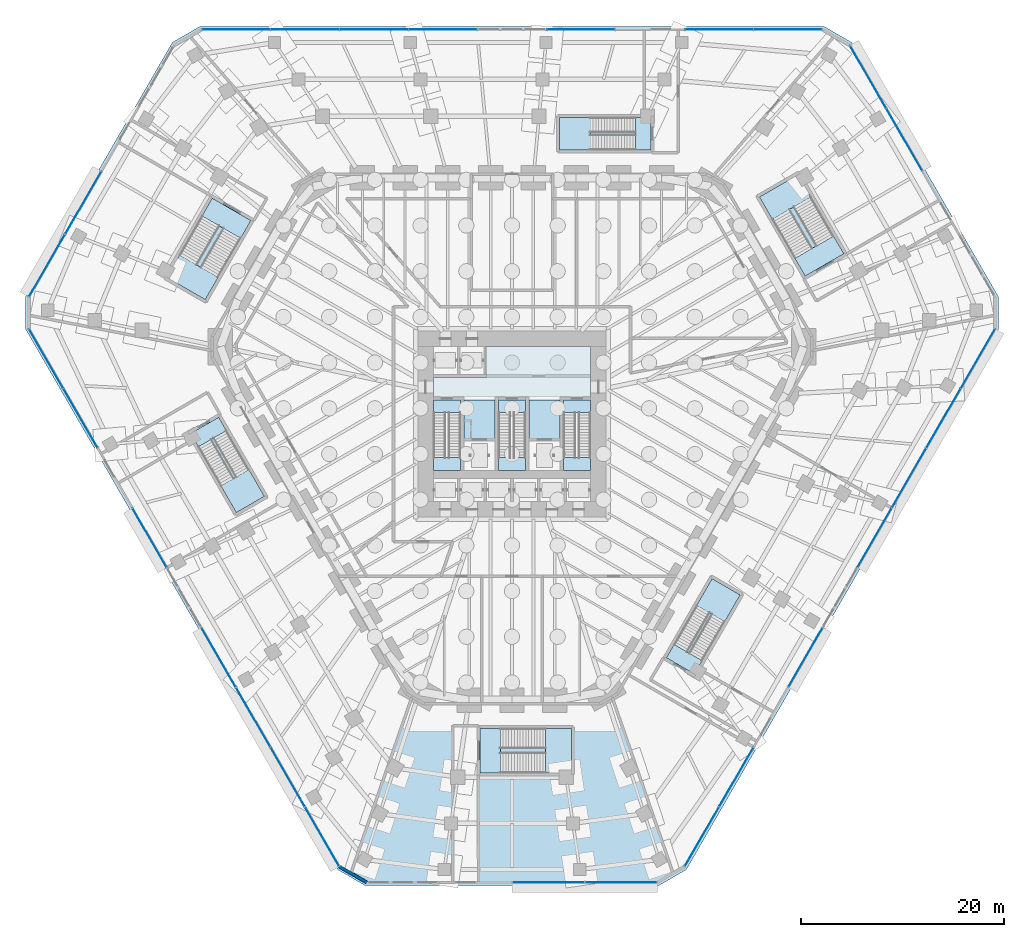
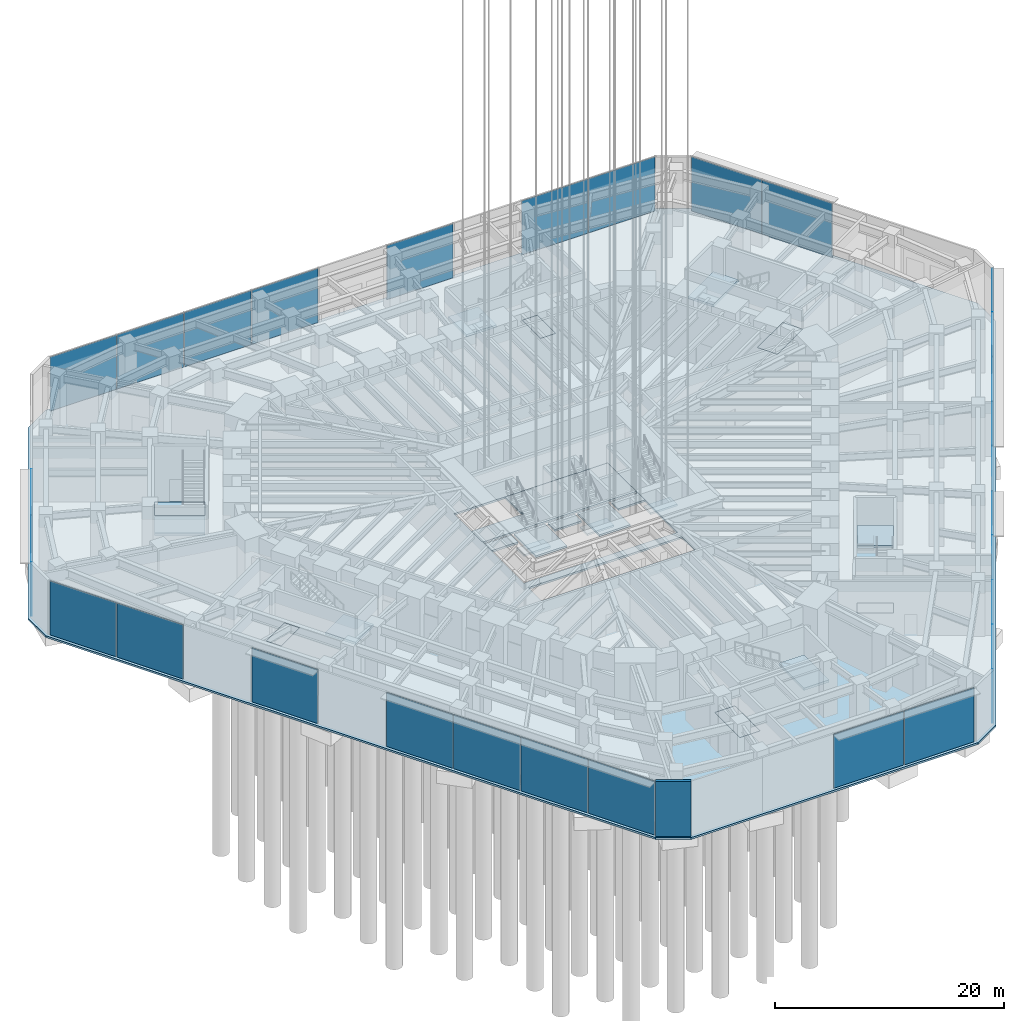
# One storey, part 17 of 34: 27 plates, 22 slabs, 1 wall, 21 elements without a shape of their own.
"""IFC4 building model written with IfcOpenShell, lengths in metres."""

from ifc_helpers import new_model, si_unit, direction, frame, frame_2d, origin, origin_2d, place, context, subcontext, project, spatial, polyline, rectangle, outline, extrude, material, layer, layer_set, type_object, element, aggregate, save


model = new_model("IFC4")

# Units and contexts
model_context = context("Model", 3, precision=1e-05, world=origin(), true_north=direction((0.0, 1.0)))
body_context = subcontext(model_context, "Body", "Model", "MODEL_VIEW")
ifc_project = project(units=[si_unit("LENGTHUNIT", "METRE"), si_unit("AREAUNIT", "SQUARE_METRE"), si_unit("VOLUMEUNIT", "CUBIC_METRE"), si_unit("PLANEANGLEUNIT", "RADIAN"), si_unit("MASSUNIT", "GRAM", prefix="KILO")], contexts=[model_context])

# Site, building, storey
site_placement = place(None, origin())
site = spatial("IfcSite", under=ifc_project, at=site_placement, CompositionType="ELEMENT")
building_placement = place(site_placement, origin())
building = spatial("IfcBuilding", under=site, at=building_placement, Name="Sandreach Pilgrim Tower", CompositionType="ELEMENT")
storey_placement = place(building_placement, origin())
storey = spatial("IfcBuildingStorey", under=building, at=storey_placement, Name="L00", CompositionType="ELEMENT", Elevation=0.0)

# Curtain wall, plates
ifc_material_1 = material(Name="Aluminium framed curtain wall", Category="aluminium")
curtain_wall_type = type_object("IfcCurtainWallType", Name="Podium storefront curtain wall", PredefinedType="NOTDEFINED", material=ifc_material_1)
curtain_wall_1_placement = place(storey_placement, origin())
curtain_wall_1 = element("IfcCurtainWall", 1, at=curtain_wall_1_placement, inside=storey, type_object=curtain_wall_type, Name="CW-P L00 NA", PredefinedType="NOTDEFINED")
ifc_material_2 = material(Name="Laminated safety insulating glass unit 10.76 laminated + 16 argon + 10.76 laminated", Category="glass")
ifc_layer_1 = layer(ifc_material_2, 0.0380859375)
ifc_layer_set_1 = layer_set([ifc_layer_1], Name="CW-P panel")
plate_type = type_object("IfcPlateType", Name="CW-P panel", PredefinedType="CURTAIN_PANEL", material=ifc_layer_set_1)
plate_1_placement = place(storey_placement, frame((-27.1708984375, 37.285400390625, 0.0), z_axis=(0.0, 0.0, 1.0), x_axis=(1.0, 0.0, 0.0)))
plate_1 = element("IfcPlate", 2, at=plate_1_placement, type_object=plate_type, Name="CW-P panel 1", PredefinedType="CURTAIN_PANEL", context=body_context, shape_type="SweptSolid", body=[
    extrude(rectangle(XDim=6.692138671875, YDim=0.0380859375, at=origin_2d()), origin(), (0.0, 0.0, 1.0), 5.77001953125),
])
plate_2_placement = place(storey_placement, frame((-20.391357421875, 37.285400390625, 0.0), z_axis=(0.0, 0.0, 1.0), x_axis=(1.0, 0.0, 0.0)))
plate_2 = element("IfcPlate", 3, at=plate_2_placement, type_object=plate_type, Name="CW-P panel 2", PredefinedType="CURTAIN_PANEL", context=body_context, shape_type="SweptSolid", body=[
    extrude(rectangle(XDim=6.72705078125, YDim=0.0380859375, at=origin_2d()), origin(), (0.0, 0.0, 1.0), 5.77001953125),
])
plate_3_placement = place(storey_placement, frame((-13.59423828125, 37.285400390625, 0.0), z_axis=(0.0, 0.0, 1.0), x_axis=(1.0, 0.0, 0.0)))
plate_3 = element("IfcPlate", 4, at=plate_3_placement, type_object=plate_type, Name="CW-P panel 3", PredefinedType="CURTAIN_PANEL", context=body_context, shape_type="SweptSolid", body=[
    extrude(rectangle(XDim=6.72705078125, YDim=0.0380859375, at=origin_2d()), origin(), (0.0, 0.0, 1.0), 5.77001953125),
])
plate_4_placement = place(storey_placement, frame((-6.814697265625, 37.285400390625, 0.0), z_axis=(0.0, 0.0, 1.0), x_axis=(1.0, 0.0, 0.0)))
plate_4 = element("IfcPlate", 5, at=plate_4_placement, type_object=plate_type, Name="CW-P panel 4", PredefinedType="CURTAIN_PANEL", context=body_context, shape_type="SweptSolid", body=[
    extrude(rectangle(XDim=6.692138671875, YDim=0.0380859375, at=origin_2d()), origin(), (0.0, 0.0, 1.0), 5.77001953125),
])
aggregate(curtain_wall_1, [plate_1, plate_2, plate_3, plate_4])

# Curtain wall, plate
curtain_wall_2_placement = place(storey_placement, origin())
curtain_wall_2 = element("IfcCurtainWall", 6, at=curtain_wall_2_placement, inside=storey, type_object=curtain_wall_type, Name="CW-P L00 NB", PredefinedType="NOTDEFINED")
plate_5_placement = place(storey_placement, frame((6.797119140625, 37.285400390625, 0.0), z_axis=(0.0, 0.0, 1.0), x_axis=(1.0, 0.0, 0.0)))
plate_5 = element("IfcPlate", 7, at=plate_5_placement, type_object=plate_type, Name="CW-P panel 1", PredefinedType="CURTAIN_PANEL", context=body_context, shape_type="SweptSolid", body=[
    extrude(rectangle(XDim=6.6572265625, YDim=0.0380859375, at=origin_2d()), origin(), (0.0, 0.0, 1.0), 5.77001953125),
])
aggregate(curtain_wall_2, [plate_5])

# Curtain wall, plates
curtain_wall_3_placement = place(storey_placement, origin())
curtain_wall_3 = element("IfcCurtainWall", 8, at=curtain_wall_3_placement, inside=storey, type_object=curtain_wall_type, Name="CW-P L00 NC", PredefinedType="NOTDEFINED")
plate_6_placement = place(storey_placement, frame((20.408935546875, 37.285400390625, 0.0), z_axis=(0.0, 0.0, 1.0), x_axis=(1.0, 0.0, 0.0)))
plate_6 = element("IfcPlate", 9, at=plate_6_placement, type_object=plate_type, Name="CW-P panel 1", PredefinedType="CURTAIN_PANEL", context=body_context, shape_type="SweptSolid", body=[
    extrude(rectangle(XDim=6.692138671875, YDim=0.0380859375, at=origin_2d()), origin(), (0.0, 0.0, 1.0), 5.77001953125),
])
plate_7_placement = place(storey_placement, frame((27.1708984375, 37.285400390625, 0.0), z_axis=(0.0, 0.0, 1.0), x_axis=(1.0, 0.0, 0.0)))
plate_7 = element("IfcPlate", 10, at=plate_7_placement, type_object=plate_type, Name="CW-P panel 2", PredefinedType="CURTAIN_PANEL", context=body_context, shape_type="SweptSolid", body=[
    extrude(rectangle(XDim=6.692138671875, YDim=0.0380859375, at=origin_2d()), origin(), (0.0, 0.0, 1.0), 5.77001953125),
])
aggregate(curtain_wall_3, [plate_6, plate_7])

curtain_wall_4_placement = place(storey_placement, origin())
curtain_wall_4 = element("IfcCurtainWall", 11, at=curtain_wall_4_placement, inside=storey, type_object=curtain_wall_type, Name="CW-P L00 NEA", PredefinedType="NOTDEFINED")
plate_8_placement = place(storey_placement, frame((35.0693359375, 32.621826171875, 0.0), z_axis=(0.0, 0.0, 1.0), x_axis=(0.5, -0.866025403784, 0.0)))
plate_8 = element("IfcPlate", 12, at=plate_8_placement, type_object=plate_type, Name="CW-P panel 1", PredefinedType="CURTAIN_PANEL", context=body_context, shape_type="SweptSolid", body=[
    extrude(rectangle(XDim=7.051025390625, YDim=0.0380859375, at=origin_2d()), origin(), (0.0, 0.0, 1.0), 5.77001953125),
])
plate_9_placement = place(storey_placement, frame((38.6298828125, 26.454833984375, 0.0), z_axis=(0.0, 0.0, 1.0), x_axis=(0.5, -0.866025403784, 0.0)))
plate_9 = element("IfcPlate", 13, at=plate_9_placement, type_object=plate_type, Name="CW-P panel 2", PredefinedType="CURTAIN_PANEL", context=body_context, shape_type="SweptSolid", body=[
    extrude(rectangle(XDim=7.051025390625, YDim=0.0380859375, at=origin_2d()), origin(), (0.0, 0.0, 1.0), 5.77001953125),
])
aggregate(curtain_wall_4, [plate_8, plate_9])

curtain_wall_5_placement = place(storey_placement, origin())
curtain_wall_5 = element("IfcCurtainWall", 14, at=curtain_wall_5_placement, inside=storey, type_object=curtain_wall_type, Name="CW-P L00 SEA", PredefinedType="NOTDEFINED")
plate_10_placement = place(storey_placement, frame((45.875732421875, 4.887939453125, 0.0), z_axis=(0.0, 0.0, 1.0), x_axis=(-0.5, -0.866025403784, 0.0)))
plate_10 = element("IfcPlate", 15, at=plate_10_placement, type_object=plate_type, Name="CW-P panel 1", PredefinedType="CURTAIN_PANEL", context=body_context, shape_type="SweptSolid", body=[
    extrude(rectangle(XDim=6.692138671875, YDim=0.0380859375, at=origin_2d()), origin(), (0.0, 0.0, 1.0), 5.77001953125),
])
plate_11_placement = place(storey_placement, frame((42.48583984375, -0.9833984375, 0.0), z_axis=(0.0, 0.0, 1.0), x_axis=(-0.5, -0.866025403784, 0.0)))
plate_11 = element("IfcPlate", 16, at=plate_11_placement, type_object=plate_type, Name="CW-P panel 2", PredefinedType="CURTAIN_PANEL", context=body_context, shape_type="SweptSolid", body=[
    extrude(rectangle(XDim=6.72705078125, YDim=0.0380859375, at=origin_2d()), origin(), (0.0, 0.0, 1.0), 5.77001953125),
])
plate_12_placement = place(storey_placement, frame((39.08740234375, -6.869873046875, 0.0), z_axis=(0.0, 0.0, 1.0), x_axis=(-0.5, -0.866025403784, 0.0)))
plate_12 = element("IfcPlate", 17, at=plate_12_placement, type_object=plate_type, Name="CW-P panel 3", PredefinedType="CURTAIN_PANEL", context=body_context, shape_type="SweptSolid", body=[
    extrude(rectangle(XDim=6.72705078125, YDim=0.0380859375, at=origin_2d()), origin(), (0.0, 0.0, 1.0), 5.77001953125),
])
plate_13_placement = place(storey_placement, frame((35.697509765625, -12.7412109375, 0.0), z_axis=(0.0, 0.0, 1.0), x_axis=(-0.5, -0.866025403784, 0.0)))
plate_13 = element("IfcPlate", 18, at=plate_13_placement, type_object=plate_type, Name="CW-P panel 4", PredefinedType="CURTAIN_PANEL", context=body_context, shape_type="SweptSolid", body=[
    extrude(rectangle(XDim=6.692138671875, YDim=0.0380859375, at=origin_2d()), origin(), (0.0, 0.0, 1.0), 5.77001953125),
])
aggregate(curtain_wall_5, [plate_10, plate_11, plate_12, plate_13])

# Curtain wall, plate
curtain_wall_6_placement = place(storey_placement, origin())
curtain_wall_6 = element("IfcCurtainWall", 19, at=curtain_wall_6_placement, inside=storey, type_object=curtain_wall_type, Name="CW-P L00 SEB", PredefinedType="NOTDEFINED")
plate_14_placement = place(storey_placement, frame((28.8916015625, -24.529296875, 0.0), z_axis=(0.0, 0.0, 1.0), x_axis=(-0.5, -0.866025403784, 0.0)))
plate_14 = element("IfcPlate", 20, at=plate_14_placement, type_object=plate_type, Name="CW-P panel 1", PredefinedType="CURTAIN_PANEL", context=body_context, shape_type="SweptSolid", body=[
    extrude(rectangle(XDim=6.6572265625, YDim=0.0380859375, at=origin_2d()), origin(), (0.0, 0.0, 1.0), 5.77001953125),
])
aggregate(curtain_wall_6, [plate_14])

# Curtain wall, plates
curtain_wall_7_placement = place(storey_placement, origin())
curtain_wall_7 = element("IfcCurtainWall", 21, at=curtain_wall_7_placement, inside=storey, type_object=curtain_wall_type, Name="CW-P L00 SEC", PredefinedType="NOTDEFINED")
plate_15_placement = place(storey_placement, frame((22.085693359375, -36.3173828125, 0.0), z_axis=(0.0, 0.0, 1.0), x_axis=(-0.5, -0.866025403784, 0.0)))
plate_15 = element("IfcPlate", 22, at=plate_15_placement, type_object=plate_type, Name="CW-P panel 1", PredefinedType="CURTAIN_PANEL", context=body_context, shape_type="SweptSolid", body=[
    extrude(rectangle(XDim=6.692138671875, YDim=0.0380859375, at=origin_2d()), origin(), (0.0, 0.0, 1.0), 5.77001953125),
])
plate_16_placement = place(storey_placement, frame((18.704833984375, -42.173583984375, 0.0), z_axis=(0.0, 0.0, 1.0), x_axis=(-0.5, -0.866025403784, 0.0)))
plate_16 = element("IfcPlate", 23, at=plate_16_placement, type_object=plate_type, Name="CW-P panel 2", PredefinedType="CURTAIN_PANEL", context=body_context, shape_type="SweptSolid", body=[
    extrude(rectangle(XDim=6.692138671875, YDim=0.0380859375, at=origin_2d()), origin(), (0.0, 0.0, 1.0), 5.77001953125),
])
aggregate(curtain_wall_7, [plate_15, plate_16])

curtain_wall_8_placement = place(storey_placement, origin())
curtain_wall_8 = element("IfcCurtainWall", 24, at=curtain_wall_8_placement, inside=storey, type_object=curtain_wall_type, Name="CW-P L00 SA", PredefinedType="NOTDEFINED")
plate_17_placement = place(storey_placement, frame((10.716552734375, -46.681884765625, 0.0), z_axis=(0.0, 0.0, 1.0), x_axis=(-1.0, 0.0, 0.0)))
plate_17 = element("IfcPlate", 25, at=plate_17_placement, type_object=plate_type, Name="CW-P panel 1", PredefinedType="CURTAIN_PANEL", context=body_context, shape_type="SweptSolid", body=[
    extrude(rectangle(XDim=7.051025390625, YDim=0.0380859375, at=origin_2d()), origin(), (0.0, 0.0, 1.0), 5.77001953125),
])
plate_18_placement = place(storey_placement, frame((3.595458984375, -46.681884765625, 0.0), z_axis=(0.0, 0.0, 1.0), x_axis=(-1.0, 0.0, 0.0)))
plate_18 = element("IfcPlate", 26, at=plate_18_placement, type_object=plate_type, Name="CW-P panel 2", PredefinedType="CURTAIN_PANEL", context=body_context, shape_type="SweptSolid", body=[
    extrude(rectangle(XDim=7.051025390625, YDim=0.0380859375, at=origin_2d()), origin(), (0.0, 0.0, 1.0), 5.77001953125),
])
aggregate(curtain_wall_8, [plate_17, plate_18])

curtain_wall_9_placement = place(storey_placement, origin())
curtain_wall_9 = element("IfcCurtainWall", 27, at=curtain_wall_9_placement, inside=storey, type_object=curtain_wall_type, Name="CW-P L00 SWA", PredefinedType="NOTDEFINED")
plate_19_placement = place(storey_placement, frame((-18.704833984375, -42.173583984375, 0.0), z_axis=(0.0, 0.0, 1.0), x_axis=(-0.5, 0.866025403784, 0.0)))
plate_19 = element("IfcPlate", 28, at=plate_19_placement, type_object=plate_type, Name="CW-P panel 1", PredefinedType="CURTAIN_PANEL", context=body_context, shape_type="SweptSolid", body=[
    extrude(rectangle(XDim=6.692138671875, YDim=0.0380859375, at=origin_2d()), origin(), (0.0, 0.0, 1.0), 5.77001953125),
])
plate_20_placement = place(storey_placement, frame((-22.094482421875, -36.30224609375, 0.0), z_axis=(0.0, 0.0, 1.0), x_axis=(-0.5, 0.866025403784, 0.0)))
plate_20 = element("IfcPlate", 29, at=plate_20_placement, type_object=plate_type, Name="CW-P panel 2", PredefinedType="CURTAIN_PANEL", context=body_context, shape_type="SweptSolid", body=[
    extrude(rectangle(XDim=6.72705078125, YDim=0.0380859375, at=origin_2d()), origin(), (0.0, 0.0, 1.0), 5.77001953125),
])
plate_21_placement = place(storey_placement, frame((-25.4931640625, -30.415771484375, 0.0), z_axis=(0.0, 0.0, 1.0), x_axis=(-0.5, 0.866025403784, 0.0)))
plate_21 = element("IfcPlate", 30, at=plate_21_placement, type_object=plate_type, Name="CW-P panel 3", PredefinedType="CURTAIN_PANEL", context=body_context, shape_type="SweptSolid", body=[
    extrude(rectangle(XDim=6.72705078125, YDim=0.0380859375, at=origin_2d()), origin(), (0.0, 0.0, 1.0), 5.77001953125),
])
plate_22_placement = place(storey_placement, frame((-28.8828125, -24.54443359375, 0.0), z_axis=(0.0, 0.0, 1.0), x_axis=(-0.5, 0.866025403784, 0.0)))
plate_22 = element("IfcPlate", 31, at=plate_22_placement, type_object=plate_type, Name="CW-P panel 4", PredefinedType="CURTAIN_PANEL", context=body_context, shape_type="SweptSolid", body=[
    extrude(rectangle(XDim=6.692138671875, YDim=0.0380859375, at=origin_2d()), origin(), (0.0, 0.0, 1.0), 5.77001953125),
])
aggregate(curtain_wall_9, [plate_19, plate_20, plate_21, plate_22])

# Curtain wall, plate
curtain_wall_10_placement = place(storey_placement, origin())
curtain_wall_10 = element("IfcCurtainWall", 32, at=curtain_wall_10_placement, inside=storey, type_object=curtain_wall_type, Name="CW-P L00 SWB", PredefinedType="NOTDEFINED")
plate_23_placement = place(storey_placement, frame((-35.688720703125, -12.75634765625, 0.0), z_axis=(0.0, 0.0, 1.0), x_axis=(-0.5, 0.866025403784, 0.0)))
plate_23 = element("IfcPlate", 33, at=plate_23_placement, type_object=plate_type, Name="CW-P panel 1", PredefinedType="CURTAIN_PANEL", context=body_context, shape_type="SweptSolid", body=[
    extrude(rectangle(XDim=6.6572265625, YDim=0.0380859375, at=origin_2d()), origin(), (0.0, 0.0, 1.0), 5.77001953125),
])
aggregate(curtain_wall_10, [plate_23])

# Curtain wall, plates
curtain_wall_11_placement = place(storey_placement, origin())
curtain_wall_11 = element("IfcCurtainWall", 34, at=curtain_wall_11_placement, inside=storey, type_object=curtain_wall_type, Name="CW-P L00 SWC", PredefinedType="NOTDEFINED")
plate_24_placement = place(storey_placement, frame((-42.49462890625, -0.96826171875, 0.0), z_axis=(0.0, 0.0, 1.0), x_axis=(-0.5, 0.866025403784, 0.0)))
plate_24 = element("IfcPlate", 35, at=plate_24_placement, type_object=plate_type, Name="CW-P panel 1", PredefinedType="CURTAIN_PANEL", context=body_context, shape_type="SweptSolid", body=[
    extrude(rectangle(XDim=6.692138671875, YDim=0.0380859375, at=origin_2d()), origin(), (0.0, 0.0, 1.0), 5.77001953125),
])
plate_25_placement = place(storey_placement, frame((-45.875732421875, 4.887939453125, 0.0), z_axis=(0.0, 0.0, 1.0), x_axis=(-0.5, 0.866025403784, 0.0)))
plate_25 = element("IfcPlate", 36, at=plate_25_placement, type_object=plate_type, Name="CW-P panel 2", PredefinedType="CURTAIN_PANEL", context=body_context, shape_type="SweptSolid", body=[
    extrude(rectangle(XDim=6.692138671875, YDim=0.0380859375, at=origin_2d()), origin(), (0.0, 0.0, 1.0), 5.77001953125),
])
aggregate(curtain_wall_11, [plate_24, plate_25])

curtain_wall_12_placement = place(storey_placement, origin())
curtain_wall_12 = element("IfcCurtainWall", 37, at=curtain_wall_12_placement, inside=storey, type_object=curtain_wall_type, Name="CW-P L00 NWA", PredefinedType="NOTDEFINED")
plate_26_placement = place(storey_placement, frame((-45.785888671875, 14.06005859375, 0.0), z_axis=(0.0, 0.0, 1.0), x_axis=(0.5, 0.866025403784, 0.0)))
plate_26 = element("IfcPlate", 38, at=plate_26_placement, type_object=plate_type, Name="CW-P panel 1", PredefinedType="CURTAIN_PANEL", context=body_context, shape_type="SweptSolid", body=[
    extrude(rectangle(XDim=7.051025390625, YDim=0.0380859375, at=origin_2d()), origin(), (0.0, 0.0, 1.0), 5.77001953125),
])
plate_27_placement = place(storey_placement, frame((-42.225341796875, 20.22705078125, 0.0), z_axis=(0.0, 0.0, 1.0), x_axis=(0.5, 0.866025403784, 0.0)))
plate_27 = element("IfcPlate", 39, at=plate_27_placement, type_object=plate_type, Name="CW-P panel 2", PredefinedType="CURTAIN_PANEL", context=body_context, shape_type="SweptSolid", body=[
    extrude(rectangle(XDim=7.051025390625, YDim=0.0380859375, at=origin_2d()), origin(), (0.0, 0.0, 1.0), 5.77001953125),
])
aggregate(curtain_wall_12, [plate_26, plate_27])

# Stair, slabs
ifc_material_3 = material(Name="Concrete 8000 psi", Category="concrete")
stair_type_1 = type_object("IfcStairType", Name="Core exit stair", PredefinedType="HALF_TURN_STAIR", material=ifc_material_3)
stair_1_placement = place(storey_placement, origin())
stair_1 = element("IfcStair", 40, at=stair_1_placement, inside=storey, type_object=stair_type_1, Name="Exit stair ST1 L00", PredefinedType="HALF_TURN_STAIR")
ifc_material_4 = material(Name="Concrete 8000 psi", Category="concrete")
ifc_layer_2 = layer(ifc_material_4, 0.199951171875)
ifc_layer_set_2 = layer_set([ifc_layer_2], Name="Core stair landing 200")
slab_type_1 = type_object("IfcSlabType", Name="Core stair landing 200", PredefinedType="LANDING", material=ifc_layer_set_2)
slab_1_placement = place(storey_placement, frame((0.0, 0.0, -0.199951171875)))
slab_1 = element("IfcSlab", 41, at=slab_1_placement, type_object=slab_type_1, Name="ST1 landing 1", PredefinedType="LANDING", context=body_context, shape_type="SweptSolid", body=[
    extrude(outline(polyline([(-7.75, -0.425048828125), (-5.050048828125, -0.425048828125), (-5.050048828125, 0.800048828125), (-7.75, 0.800048828125), (-7.75, -0.425048828125)])), origin(), (0.0, 0.0, 1.0), 0.199951171875),
])
slab_2_placement = place(storey_placement, frame((0.0, 0.0, 2.800048828125)))
slab_2 = element("IfcSlab", 42, at=slab_2_placement, type_object=slab_type_1, Name="ST1 landing 2", PredefinedType="LANDING", context=body_context, shape_type="SweptSolid", body=[
    extrude(outline(polyline([(-7.75, -6.10009765625), (-5.050048828125, -6.10009765625), (-5.050048828125, -4.85498046875), (-7.75, -4.85498046875), (-7.75, -6.10009765625)])), origin(), (0.0, 0.0, 1.0), 0.199951171875),
])
aggregate(stair_1, [slab_1, slab_2])

stair_2_placement = place(storey_placement, origin())
stair_2 = element("IfcStair", 43, at=stair_2_placement, inside=storey, type_object=stair_type_1, Name="Exit stair ST3 L00", PredefinedType="HALF_TURN_STAIR")
slab_3_placement = place(storey_placement, frame((0.0, 0.0, -0.199951171875)))
slab_3 = element("IfcSlab", 44, at=slab_3_placement, type_object=slab_type_1, Name="ST3 landing 1", PredefinedType="LANDING", context=body_context, shape_type="SweptSolid", body=[
    extrude(outline(polyline([(-1.35009765625, -0.425048828125), (1.35009765625, -0.425048828125), (1.35009765625, 0.800048828125), (-1.35009765625, 0.800048828125), (-1.35009765625, -0.425048828125)])), origin(), (0.0, 0.0, 1.0), 0.199951171875),
])
slab_4_placement = place(storey_placement, frame((0.0, 0.0, 2.800048828125)))
slab_4 = element("IfcSlab", 45, at=slab_4_placement, type_object=slab_type_1, Name="ST3 landing 2", PredefinedType="LANDING", context=body_context, shape_type="SweptSolid", body=[
    extrude(outline(polyline([(-1.35009765625, -6.10009765625), (1.35009765625, -6.10009765625), (1.35009765625, -4.85498046875), (-1.35009765625, -4.85498046875), (-1.35009765625, -6.10009765625)])), origin(), (0.0, 0.0, 1.0), 0.199951171875),
])
aggregate(stair_2, [slab_3, slab_4])

stair_3_placement = place(storey_placement, origin())
stair_3 = element("IfcStair", 46, at=stair_3_placement, inside=storey, type_object=stair_type_1, Name="Exit stair ST2 L00", PredefinedType="HALF_TURN_STAIR")
slab_5_placement = place(storey_placement, frame((0.0, 0.0, -0.199951171875)))
slab_5 = element("IfcSlab", 47, at=slab_5_placement, type_object=slab_type_1, Name="ST2 landing 1", PredefinedType="LANDING", context=body_context, shape_type="SweptSolid", body=[
    extrude(outline(polyline([(5.050048828125, -0.425048828125), (7.75, -0.425048828125), (7.75, 0.800048828125), (5.050048828125, 0.800048828125), (5.050048828125, -0.425048828125)])), origin(), (0.0, 0.0, 1.0), 0.199951171875),
])
slab_6_placement = place(storey_placement, frame((0.0, 0.0, 2.800048828125)))
slab_6 = element("IfcSlab", 48, at=slab_6_placement, type_object=slab_type_1, Name="ST2 landing 2", PredefinedType="LANDING", context=body_context, shape_type="SweptSolid", body=[
    extrude(outline(polyline([(5.050048828125, -6.10009765625), (7.75, -6.10009765625), (7.75, -4.85498046875), (5.050048828125, -4.85498046875), (5.050048828125, -6.10009765625)])), origin(), (0.0, 0.0, 1.0), 0.199951171875),
])
aggregate(stair_3, [slab_5, slab_6])

# Slabs
ifc_material_5 = material(Name="Concrete 8000 psi", Category="concrete")
ifc_layer_3 = layer(ifc_material_5, 0.199951171875)
ifc_layer_set_3 = layer_set([ifc_layer_3], Name="Ground floor slab 200")
slab_type_2 = type_object("IfcSlabType", Name="Ground floor slab 200", PredefinedType="BASESLAB", material=ifc_layer_set_3)
slab_7_placement = place(storey_placement, frame((0.0, 0.0, -0.199951171875)))
element("IfcSlab", 49, at=slab_7_placement, inside=storey, type_object=slab_type_2, Name="Ground floor slab L00", PredefinedType="BASESLAB", context=body_context, shape_type="SweptSolid", body=[
    extrude(outline(polyline([(-30.76025390625, 37.58544921875), (-33.44482421875, 36.035400390625), (-47.93017578125, 10.9462890625), (-47.93017578125, 7.846435546875), (-17.169921875, -45.431884765625), (-14.485107421875, -46.98193359375), (14.485107421875, -46.98193359375), (17.169921875, -45.431884765625), (47.93017578125, 7.846435546875), (47.93017578125, 10.9462890625), (33.44482421875, 36.035400390625), (30.76025390625, 37.58544921875), (-30.76025390625, 37.58544921875)]), holes=[polyline([(-7.75, -6.10009765625), (7.75, -6.10009765625), (7.75, 6.10009765625), (-7.75, 6.10009765625), (-7.75, -6.10009765625)]), polyline([(-7.75, -9.199951171875), (7.75, -9.199951171875), (7.75, -6.89990234375), (-7.75, -6.89990234375), (-7.75, -9.199951171875)]), polyline([(28.869873046875, 13.017822265625), (27.857421875, 14.771484375), (31.667724609375, 16.971435546875), (32.680419921875, 15.2177734375), (28.869873046875, 13.017822265625)]), polyline([(-3.1611328125, -31.510986328125), (-1.13623046875, -31.510986328125), (-1.13623046875, -35.910888671875), (-3.1611328125, -35.910888671875), (-3.1611328125, -31.510986328125)]), polyline([(-25.708740234375, 18.4931640625), (-26.72119140625, 16.739501953125), (-30.53173828125, 18.939453125), (-29.51904296875, 20.693115234375), (-25.708740234375, 18.4931640625)]), polyline([(13.6796875, 25.44873046875), (12.15478515625, 25.44873046875), (12.15478515625, 28.648681640625), (13.6796875, 28.648681640625), (13.6796875, 25.44873046875)]), polyline([(15.199462890625, -24.5712890625), (15.9619140625, -23.250732421875), (18.733154296875, -24.8505859375), (17.970703125, -26.17138671875), (15.199462890625, -24.5712890625)]), polyline([(-28.879150390625, -0.87744140625), (-28.11669921875, -2.197998046875), (-30.887939453125, -3.798095703125), (-31.650390625, -2.477294921875), (-28.879150390625, -0.87744140625)])]), origin(), (0.0, 0.0, 1.0), 0.199951171875),
])
slab_8_placement = place(storey_placement, frame((0.0, 0.0, -0.199951171875)))
element("IfcSlab", 50, at=slab_8_placement, inside=storey, type_object=slab_type_2, Name="Core floor slab L00", PredefinedType="BASESLAB", context=body_context, shape_type="SweptSolid", body=[
    extrude(outline(polyline([(-7.75, 3.050048828125), (-5.375, 3.050048828125), (-5.125, 3.050048828125), (-2.5, 3.050048828125), (-2.5, 3.35009765625), (-2.60009765625, 3.35009765625), (-2.60009765625, 6.10009765625), (7.75, 6.10009765625), (7.75, 1.10009765625), (5.050048828125, 1.10009765625), (4.75, 1.10009765625), (1.64990234375, 1.10009765625), (1.35009765625, 1.10009765625), (-1.35009765625, 1.10009765625), (-1.64990234375, 1.10009765625), (-4.75, 1.10009765625), (-5.050048828125, 1.10009765625), (-7.75, 1.10009765625), (-7.75, 3.050048828125)])), origin(), (0.0, 0.0, 1.0), 0.199951171875),
])
slab_9_placement = place(storey_placement, frame((0.0, 0.0, -0.199951171875)))
element("IfcSlab", 51, at=slab_9_placement, inside=storey, type_object=slab_type_2, Name="Core floor slab L00 2", PredefinedType="BASESLAB", context=body_context, shape_type="SweptSolid", body=[
    extrude(outline(polyline([(-1.64990234375, -3.050048828125), (-4.75, -3.050048828125), (-4.75, 0.800048828125), (-1.64990234375, 0.800048828125), (-1.64990234375, -3.050048828125)])), origin(), (0.0, 0.0, 1.0), 0.199951171875),
])
slab_10_placement = place(storey_placement, frame((0.0, 0.0, -0.199951171875)))
element("IfcSlab", 52, at=slab_10_placement, inside=storey, type_object=slab_type_2, Name="Core floor slab L00 3", PredefinedType="BASESLAB", context=body_context, shape_type="SweptSolid", body=[
    extrude(outline(polyline([(4.75, -3.050048828125), (1.64990234375, -3.050048828125), (1.64990234375, 0.800048828125), (4.75, 0.800048828125), (4.75, -3.050048828125)])), origin(), (0.0, 0.0, 1.0), 0.199951171875),
])

# Stair, slabs
ifc_material_6 = material(Name="Concrete 8000 psi", Category="concrete")
stair_type_2 = type_object("IfcStairType", Name="Podium exit stair", PredefinedType="HALF_TURN_STAIR", material=ifc_material_6)
stair_4_placement = place(storey_placement, origin())
stair_4 = element("IfcStair", 53, at=stair_4_placement, inside=storey, type_object=stair_type_2, Name="Exit stair ST4 L00", PredefinedType="HALF_TURN_STAIR")
ifc_material_7 = material(Name="Concrete 8000 psi", Category="concrete")
ifc_layer_4 = layer(ifc_material_7, 0.25)
ifc_layer_set_4 = layer_set([ifc_layer_4], Name="Podium stair landing 250")
slab_type_3 = type_object("IfcSlabType", Name="Podium stair landing 250", PredefinedType="LANDING", material=ifc_layer_set_4)
slab_11_placement = place(storey_placement, frame((0.0, 0.0, -0.25)))
slab_11 = element("IfcSlab", 54, at=slab_11_placement, type_object=slab_type_3, Name="ST4 landing 1", PredefinedType="LANDING", context=body_context, shape_type="SweptSolid", body=[
    extrude(outline(polyline([(28.869873046875, 13.017822265625), (27.857421875, 14.771484375), (31.667724609375, 16.971435546875), (32.680419921875, 15.2177734375), (28.869873046875, 13.017822265625)])), origin(), (0.0, 0.0, 1.0), 0.25),
])
slab_12_placement = place(storey_placement, frame((0.0, 0.0, 2.75)))
slab_12 = element("IfcSlab", 55, at=slab_12_placement, type_object=slab_type_3, Name="ST4 landing 2", PredefinedType="LANDING", context=body_context, shape_type="SweptSolid", body=[
    extrude(outline(polyline([(25.642333984375, 18.60791015625), (24.369873046875, 20.81201171875), (28.180419921875, 23.011962890625), (29.452880859375, 20.80810546875), (25.642333984375, 18.60791015625)])), origin(), (0.0, 0.0, 1.0), 0.25),
])
aggregate(stair_4, [slab_11, slab_12])

stair_5_placement = place(storey_placement, origin())
stair_5 = element("IfcStair", 56, at=stair_5_placement, inside=storey, type_object=stair_type_2, Name="Exit stair ST5 L00", PredefinedType="HALF_TURN_STAIR")
slab_13_placement = place(storey_placement, frame((0.0, 0.0, -0.25)))
slab_13 = element("IfcSlab", 57, at=slab_13_placement, type_object=slab_type_3, Name="ST5 landing 1", PredefinedType="LANDING", context=body_context, shape_type="SweptSolid", body=[
    extrude(outline(polyline([(-3.1611328125, -31.510986328125), (-1.13623046875, -31.510986328125), (-1.13623046875, -35.910888671875), (-3.1611328125, -35.910888671875), (-3.1611328125, -31.510986328125)])), origin(), (0.0, 0.0, 1.0), 0.25),
])
slab_14_placement = place(storey_placement, frame((0.0, 0.0, 2.75)))
slab_14 = element("IfcSlab", 58, at=slab_14_placement, type_object=slab_type_3, Name="ST5 landing 2", PredefinedType="LANDING", context=body_context, shape_type="SweptSolid", body=[
    extrude(outline(polyline([(3.2939453125, -31.510986328125), (5.8388671875, -31.510986328125), (5.8388671875, -35.910888671875), (3.2939453125, -35.910888671875), (3.2939453125, -31.510986328125)])), origin(), (0.0, 0.0, 1.0), 0.25),
])
aggregate(stair_5, [slab_13, slab_14])

stair_6_placement = place(storey_placement, origin())
stair_6 = element("IfcStair", 59, at=stair_6_placement, inside=storey, type_object=stair_type_2, Name="Exit stair ST6 L00", PredefinedType="HALF_TURN_STAIR")
slab_15_placement = place(storey_placement, frame((0.0, 0.0, -0.25)))
slab_15 = element("IfcSlab", 60, at=slab_15_placement, type_object=slab_type_3, Name="ST6 landing 1", PredefinedType="LANDING", context=body_context, shape_type="SweptSolid", body=[
    extrude(outline(polyline([(-25.708740234375, 18.4931640625), (-26.72119140625, 16.739501953125), (-30.53173828125, 18.939453125), (-29.51904296875, 20.693115234375), (-25.708740234375, 18.4931640625)])), origin(), (0.0, 0.0, 1.0), 0.25),
])
slab_16_placement = place(storey_placement, frame((0.0, 0.0, 2.75)))
slab_16 = element("IfcSlab", 61, at=slab_16_placement, type_object=slab_type_3, Name="ST6 landing 2", PredefinedType="LANDING", context=body_context, shape_type="SweptSolid", body=[
    extrude(outline(polyline([(-28.93603515625, 12.90283203125), (-30.208740234375, 10.698974609375), (-34.01904296875, 12.89892578125), (-32.74658203125, 15.102783203125), (-28.93603515625, 12.90283203125)])), origin(), (0.0, 0.0, 1.0), 0.25),
])
aggregate(stair_6, [slab_15, slab_16])

ifc_material_8 = material(Name="Concrete 8000 psi", Category="concrete")
stair_type_3 = type_object("IfcStairType", Name="Narrow podium exit stair", PredefinedType="HALF_TURN_STAIR", material=ifc_material_8)
stair_7_placement = place(storey_placement, origin())
stair_7 = element("IfcStair", 62, at=stair_7_placement, inside=storey, type_object=stair_type_3, Name="Exit stair ST7 L00", PredefinedType="HALF_TURN_STAIR")
slab_17_placement = place(storey_placement, frame((0.0, 0.0, -0.25)))
slab_17 = element("IfcSlab", 63, at=slab_17_placement, type_object=slab_type_3, Name="ST7 landing 1", PredefinedType="LANDING", context=body_context, shape_type="SweptSolid", body=[
    extrude(outline(polyline([(13.6796875, 25.44873046875), (12.15478515625, 25.44873046875), (12.15478515625, 28.648681640625), (13.6796875, 28.648681640625), (13.6796875, 25.44873046875)])), origin(), (0.0, 0.0, 1.0), 0.25),
])
slab_18_placement = place(storey_placement, frame((0.0, 0.0, 2.75)))
slab_18 = element("IfcSlab", 64, at=slab_18_placement, type_object=slab_type_3, Name="ST7 landing 2", PredefinedType="LANDING", context=body_context, shape_type="SweptSolid", body=[
    extrude(outline(polyline([(7.724853515625, 25.44873046875), (4.6796875, 25.44873046875), (4.6796875, 28.648681640625), (7.724853515625, 28.648681640625), (7.724853515625, 25.44873046875)])), origin(), (0.0, 0.0, 1.0), 0.25),
])
aggregate(stair_7, [slab_17, slab_18])

stair_8_placement = place(storey_placement, origin())
stair_8 = element("IfcStair", 65, at=stair_8_placement, inside=storey, type_object=stair_type_3, Name="Exit stair ST8 L00", PredefinedType="HALF_TURN_STAIR")
slab_19_placement = place(storey_placement, frame((0.0, 0.0, -0.25)))
slab_19 = element("IfcSlab", 66, at=slab_19_placement, type_object=slab_type_3, Name="ST8 landing 1", PredefinedType="LANDING", context=body_context, shape_type="SweptSolid", body=[
    extrude(outline(polyline([(15.199462890625, -24.5712890625), (15.9619140625, -23.250732421875), (18.733154296875, -24.8505859375), (17.970703125, -26.17138671875), (15.199462890625, -24.5712890625)])), origin(), (0.0, 0.0, 1.0), 0.25),
])
slab_20_placement = place(storey_placement, frame((0.0, 0.0, 2.75)))
slab_20 = element("IfcSlab", 67, at=slab_20_placement, type_object=slab_type_3, Name="ST8 landing 2", PredefinedType="LANDING", context=body_context, shape_type="SweptSolid", body=[
    extrude(outline(polyline([(18.1767578125, -19.414306640625), (19.699462890625, -16.777099609375), (22.470703125, -18.377197265625), (20.9482421875, -21.01416015625), (18.1767578125, -19.414306640625)])), origin(), (0.0, 0.0, 1.0), 0.25),
])
aggregate(stair_8, [slab_19, slab_20])

stair_9_placement = place(storey_placement, origin())
stair_9 = element("IfcStair", 68, at=stair_9_placement, inside=storey, type_object=stair_type_3, Name="Exit stair ST9 L00", PredefinedType="HALF_TURN_STAIR")
slab_21_placement = place(storey_placement, frame((0.0, 0.0, -0.25)))
slab_21 = element("IfcSlab", 69, at=slab_21_placement, type_object=slab_type_3, Name="ST9 landing 1", PredefinedType="LANDING", context=body_context, shape_type="SweptSolid", body=[
    extrude(outline(polyline([(-28.879150390625, -0.87744140625), (-28.11669921875, -2.197998046875), (-30.887939453125, -3.798095703125), (-31.650390625, -2.477294921875), (-28.879150390625, -0.87744140625)])), origin(), (0.0, 0.0, 1.0), 0.25),
])
slab_22_placement = place(storey_placement, frame((0.0, 0.0, 2.75)))
slab_22 = element("IfcSlab", 70, at=slab_22_placement, type_object=slab_type_3, Name="ST9 landing 2", PredefinedType="LANDING", context=body_context, shape_type="SweptSolid", body=[
    extrude(outline(polyline([(-25.901611328125, -6.034423828125), (-24.379150390625, -8.671630859375), (-27.150390625, -10.271484375), (-28.6728515625, -7.634521484375), (-25.901611328125, -6.034423828125)])), origin(), (0.0, 0.0, 1.0), 0.25),
])
aggregate(stair_9, [slab_21, slab_22])

# Wall
ifc_material_9 = material(Name="Terracotta rainscreen on concrete", Category="masonry")
ifc_layer_5 = layer(ifc_material_9, 0.300048828125)
ifc_layer_set_5 = layer_set([ifc_layer_5], Name="Terracotta chamfer pier")
wall_type = type_object("IfcWallType", Name="Terracotta chamfer pier", PredefinedType="SOLIDWALL", material=ifc_layer_set_5)
wall_placement = place(storey_placement, frame((-14.31201171875, -46.681884765625, 0.0), z_axis=(0.0, 0.0, 1.0), x_axis=(-0.86600983753, 0.500026960575, 0.0)))
element("IfcWall", 71, at=wall_placement, inside=storey, type_object=wall_type, Name="Chamfer pier L00 S", PredefinedType="SOLIDWALL", context=body_context, shape_type="SweptSolid", body=[
    extrude(rectangle(XDim=3.099853515625, YDim=0.300048828125, at=frame_2d((1.5498046875, 0.0))), origin(), (0.0, 0.0, 1.0), 5.840087890625),
])

save(model, "model.ifc")
